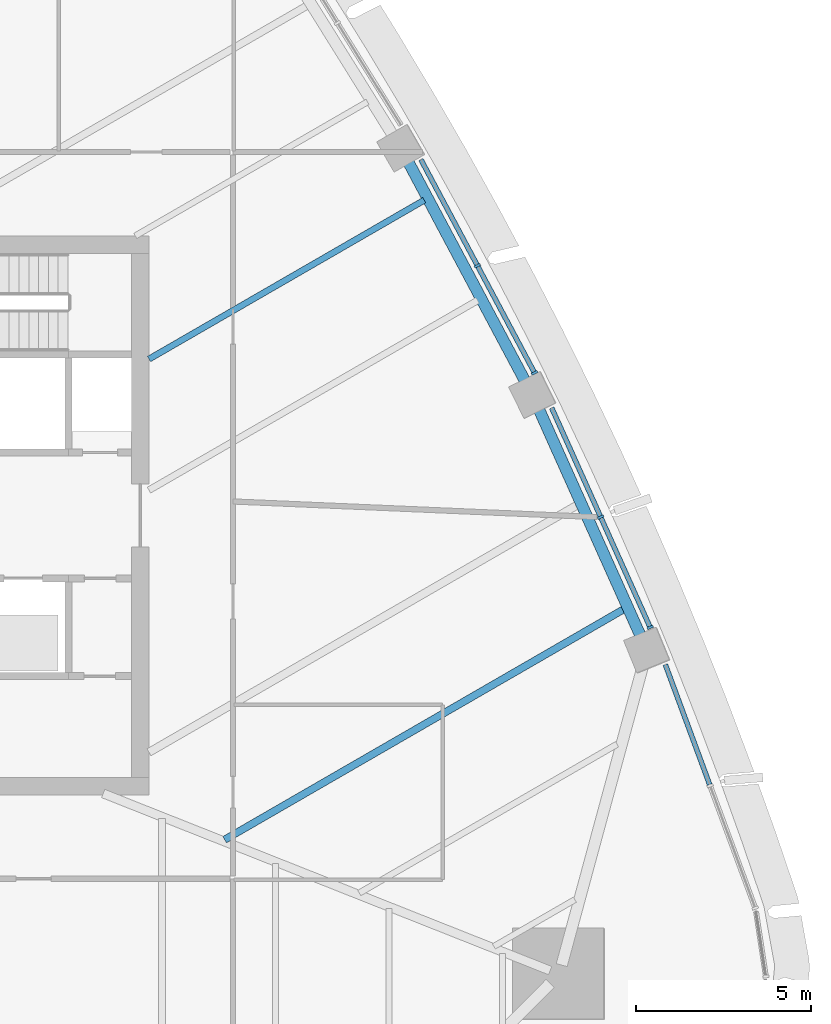
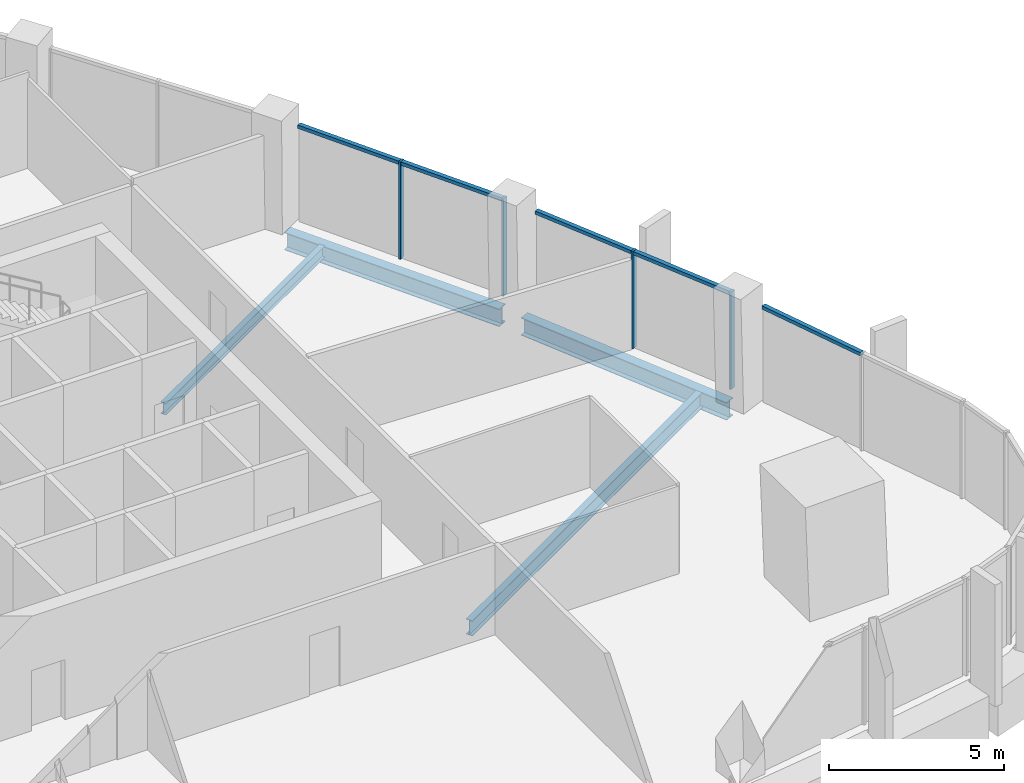
# One storey, part 5 of 19: 9 members, 4 beams, 3 elements without a shape of their own.
"""IFC4 building model written with IfcOpenShell, lengths in metres."""

import ifcopenshell
import ifcopenshell.guid

model = None  # the IFC model being written
_history = None  # IfcOwnerHistory: only IFC2X3 demands one
_inside = {}  # id of a spatial element -> (the spatial element, [elements in it])
_under = {}  # id of a project, library or spatial element -> (it, [spatial elements below it])
_declared = {}  # id of a project -> (the project, [libraries it declares])
_typed = {}  # id of a type object -> (the type object, [elements of that type])
_made_of = {}  # id of a material, layer set ... -> (it, [elements and type objects made of it])


def new_model(schema):
    """Start an empty IFC model of exactly this schema.

    Asked for "IFC4X3", IfcOpenShell would pick the latest addendum, in which some entities
    have other attributes; the version numbers below select the first issue.
    IFC2X3 requires an IfcOwnerHistory on every rooted entity: one is made here for all.
    """
    global model, _history
    if schema == "IFC4X3":
        model = ifcopenshell.file(schema_version=(4, 3, 0, 0))
    else:
        model = ifcopenshell.file(schema=schema)
    _inside.clear()
    _under.clear()
    _declared.clear()
    _typed.clear()
    _made_of.clear()
    _history = None
    if model.schema == "IFC2X3":
        org = make("IfcOrganization", Name="unknown")
        user = make(
            "IfcPersonAndOrganization",
            ThePerson=make("IfcPerson", FamilyName="unknown"),
            TheOrganization=org,
        )
        app = make(
            "IfcApplication",
            ApplicationDeveloper=org,
            Version="unknown",
            ApplicationFullName="unknown",
            ApplicationIdentifier="unknown",
        )
        _history = make(
            "IfcOwnerHistory",
            OwningUser=user,
            OwningApplication=app,
            ChangeAction="ADDED",
            CreationDate=0,
        )
    return model


def make(cls, **values):
    """One entity of the class cls with the attributes given. An attribute that is None is left unset."""
    return model.create_entity(
        cls, **{name: value for name, value in values.items() if value is not None}
    )


def rooted(cls, **values):
    """An entity with a GlobalId (a new one), such as an element, a storey or a relation."""
    return make(cls, GlobalId=ifcopenshell.guid.new(), OwnerHistory=_history, **values)


def si_unit(unit_type, name, prefix=None):
    """IfcSIUnit, for example si_unit("LENGTHUNIT", "METRE", prefix="MILLI")."""
    return make("IfcSIUnit", UnitType=unit_type, Prefix=prefix, Name=name)


def assignment(units):
    """IfcUnitAssignment: the units of a project."""
    return None if units is None else make("IfcUnitAssignment", Units=units)


def point(xyz):
    """IfcCartesianPoint."""
    return None if xyz is None else make("IfcCartesianPoint", Coordinates=xyz)


def direction(xyz):
    """IfcDirection."""
    return None if xyz is None else make("IfcDirection", DirectionRatios=xyz)


def frame(location, z_axis=None, x_axis=None):
    """IfcAxis2Placement3D, a coordinate frame: its origin and axes. An axis left out is left unset."""
    return make(
        "IfcAxis2Placement3D",
        Location=point(location),
        Axis=direction(z_axis),
        RefDirection=direction(x_axis),
    )


def frame_2d(location, x_axis=None):
    """IfcAxis2Placement2D, a coordinate frame in the plane: its origin and x axis."""
    return make(
        "IfcAxis2Placement2D", Location=point(location), RefDirection=direction(x_axis)
    )


def origin():
    """The frame at (0, 0, 0) with its axes left unset."""
    return frame((0.0, 0.0, 0.0))


def origin_2d():
    """The frame at (0, 0) in the plane with its x axis left unset."""
    return frame_2d((0.0, 0.0))


def place(relative_to, where):
    """IfcLocalPlacement: puts the frame where relative to a parent placement (None: the world)."""
    return make(
        "IfcLocalPlacement", PlacementRelTo=relative_to, RelativePlacement=where
    )


def context(
    kind, dimensions, precision=None, world=None, true_north=None, identifier=None
):
    """IfcGeometricRepresentationContext, for example the 3D "Model" context."""
    return make(
        "IfcGeometricRepresentationContext",
        ContextIdentifier=identifier,
        ContextType=kind,
        CoordinateSpaceDimension=dimensions,
        Precision=precision,
        WorldCoordinateSystem=world,
        TrueNorth=true_north,
    )


def subcontext(parent, identifier, kind, view, scale=None):
    """IfcGeometricRepresentationSubContext, for example "Body" below "Model"."""
    return make(
        "IfcGeometricRepresentationSubContext",
        ContextIdentifier=identifier,
        ContextType=kind,
        ParentContext=parent,
        TargetScale=scale,
        TargetView=view,
    )


def project(units=None, contexts=None):
    """IfcProject with its units and contexts."""
    return rooted(
        "IfcProject",
        Name="project",
        RepresentationContexts=contexts,
        UnitsInContext=assignment(units),
    )


def spatial(cls, under=None, at=None, **own):
    """A site, building, storey or space (cls), placed at a placement, below another one or the project."""
    s = rooted(cls, ObjectPlacement=at, **own)
    if under is not None:
        _under.setdefault(under.id(), (under, []))[1].append(s)
    return s


def profile(cls, at=None, kind="AREA", **sizes):
    """A parametric profile (cls). Its sizes go by their IFC names, for example OverallWidth=200.0."""
    return make(cls, ProfileType=kind, Position=at, **sizes)


def rectangle(**sizes):
    """IfcRectangleProfileDef."""
    return profile("IfcRectangleProfileDef", **sizes)


def i_section(**sizes):
    """IfcIShapeProfileDef."""
    return profile("IfcIShapeProfileDef", **sizes)


def extrude(swept, where, along, depth):
    """IfcExtrudedAreaSolid: the profile swept, set in the frame where, extruded along a direction by depth."""
    return make(
        "IfcExtrudedAreaSolid",
        SweptArea=swept,
        Position=where,
        ExtrudedDirection=direction(along),
        Depth=depth,
    )


def shape(context_of_items, identifier, shape_type, items):
    """IfcShapeRepresentation: the items that make up one representation, for example the "Body"."""
    return make(
        "IfcShapeRepresentation",
        ContextOfItems=context_of_items,
        RepresentationIdentifier=identifier,
        RepresentationType=shape_type,
        Items=items,
    )


def material(Name=None, Category=None):
    """IfcMaterial."""
    return make("IfcMaterial", Name=Name, Category=Category)


def layer(
    of_material, thickness, ventilated=None, Name=None, Category=None, Priority=None
):
    """IfcMaterialLayer: one layer of a wall or slab, of a material (None: an air gap)."""
    return make(
        "IfcMaterialLayer",
        Material=of_material,
        LayerThickness=thickness,
        IsVentilated=ventilated,
        Name=Name,
        Category=Category,
        Priority=Priority,
    )


def layer_set(layers, Name=None):
    """IfcMaterialLayerSet."""
    return make("IfcMaterialLayerSet", MaterialLayers=layers, LayerSetName=Name)


def material_profile(
    of_material, cross_section, Name=None, Category=None, Priority=None
):
    """IfcMaterialProfile: a cross section and its material."""
    return make(
        "IfcMaterialProfile",
        Name=Name,
        Material=of_material,
        Profile=cross_section,
        Priority=Priority,
        Category=Category,
    )


def profile_set(profiles, Name=None, composite=None):
    """IfcMaterialProfileSet."""
    return make(
        "IfcMaterialProfileSet",
        Name=Name,
        MaterialProfiles=profiles,
        CompositeProfile=composite,
    )


def made_of(thing, what):
    """Note that an element or type object is made of a material, layer set ...; save() writes the relation."""
    if what is not None:
        _made_of.setdefault(what.id(), (what, []))[1].append(thing)
    return thing


def type_object(cls, material=None, **own):
    """A type object (cls), such as IfcWallType, which elements share."""
    return made_of(rooted(cls, **own), material)


def element(
    cls,
    number,
    at=None,
    inside=None,
    cuts=None,
    type_object=None,
    material=None,
    context=None,
    identifier="Body",
    shape_type=None,
    held_by="IfcProductDefinitionShape",
    body=None,
    shapes=None,
    **own,
):
    """One element of the class cls, such as IfcWall. Its Tag is "e" and its number.

    at: its placement. inside: the storey or other place that contains it. cuts: it is an
    opening in that element (IfcRelVoidsElement). A single representation is given by context,
    identifier, shape_type and body (its items); several are given by shapes. held_by: the class
    of the entity that holds the representations. save() writes the other relations.
    """
    e = rooted(cls, Tag="e%d" % number, ObjectPlacement=at, **own)
    if body is not None:
        shapes = [shape(context, identifier, shape_type, body)]
    if shapes is not None:
        e.Representation = make(held_by, Representations=shapes)
    if inside is not None:
        _inside.setdefault(inside.id(), (inside, []))[1].append(e)
    if cuts is not None:
        rooted(
            "IfcRelVoidsElement", RelatingBuildingElement=cuts, RelatedOpeningElement=e
        )
    if type_object is not None:
        _typed.setdefault(type_object.id(), (type_object, []))[1].append(e)
    return made_of(e, material)


def aggregate(whole, parts):
    """IfcRelAggregates: a whole, such as a stair, and the parts it consists of."""
    return rooted("IfcRelAggregates", RelatingObject=whole, RelatedObjects=parts)


def save(model, path):
    """Write the relations noted so far, then the file.

    IfcRelAggregates (storeys below a building ...), IfcRelContainedInSpatialStructure (elements
    in a storey), IfcRelDefinesByType, IfcRelAssociatesMaterial and IfcRelDeclares: one each for
    every whole, place, type object, material and project.
    """
    for whole, parts in _under.values():
        aggregate(whole, parts)
    for where, things in _inside.values():
        rooted(
            "IfcRelContainedInSpatialStructure",
            RelatedElements=things,
            RelatingStructure=where,
        )
    for kind, things in _typed.values():
        rooted("IfcRelDefinesByType", RelatedObjects=things, RelatingType=kind)
    for what, things in _made_of.values():
        rooted("IfcRelAssociatesMaterial", RelatedObjects=things, RelatingMaterial=what)
    for by, libraries in _declared.values():
        rooted("IfcRelDeclares", RelatingContext=by, RelatedDefinitions=libraries)
    model.write(path)


model = new_model("IFC4")

# Units and contexts
model_context = context("Model", 3, precision=1e-05, world=origin(), true_north=direction((0.0, 1.0)))
body_context = subcontext(model_context, "Body", "Model", "MODEL_VIEW")
ifc_project = project(units=[si_unit("LENGTHUNIT", "METRE"), si_unit("AREAUNIT", "SQUARE_METRE"), si_unit("VOLUMEUNIT", "CUBIC_METRE"), si_unit("PLANEANGLEUNIT", "RADIAN"), si_unit("MASSUNIT", "GRAM", prefix="KILO")], contexts=[model_context])

# Site, building, storey
site_placement = place(None, origin())
site = spatial("IfcSite", under=ifc_project, at=site_placement, CompositionType="ELEMENT")
building_placement = place(site_placement, origin())
building = spatial("IfcBuilding", under=site, at=building_placement, Name="Sierra Prisma Convention Tower", CompositionType="ELEMENT")
storey_placement = place(building_placement, frame((0.0, 0.0, 209.800048828125)))
storey = spatial("IfcBuildingStorey", under=building, at=storey_placement, Name="L47", CompositionType="ELEMENT", Elevation=209.800048828125)

# Curtain wall, members
ifc_material_1 = material(Name="Aluminium and glass curtain wall", Category="aluminium")
ifc_layer = layer(ifc_material_1, 0.179931640625)
ifc_layer_set = layer_set([ifc_layer], Name="CW-1 Plain shaft curtain wall")
curtain_wall_type = type_object("IfcCurtainWallType", Name="CW-1 Plain shaft curtain wall", PredefinedType="NOTDEFINED", material=ifc_layer_set)
curtain_wall_1_placement = place(storey_placement, origin())
curtain_wall_1 = element("IfcCurtainWall", 1, at=curtain_wall_1_placement, inside=storey, type_object=curtain_wall_type, Name="CW-1 NE2 L47", PredefinedType="NOTDEFINED")
ifc_material_2 = material(Name="Aluminium 6063-T6 bronze anodised", Category="aluminium")
ifc_material_profile_1 = material_profile(ifc_material_2, rectangle(XDim=0.179931640625, YDim=0.070068359375, at=origin_2d()), Name="ALU MULLION 70x180")
ifc_profile_set_1 = profile_set([ifc_material_profile_1], Name="Aluminium 6063-T6 bronze anodised")
member_type_1 = type_object("IfcMemberType", Name="CW mullion bronze", PredefinedType="MULLION", material=ifc_profile_set_1)
member_1_placement = place(storey_placement, frame((25.3408203125, -3.202880859375, 0.0), z_axis=(0.0, 0.0, 1.0), x_axis=(-0.91240422521, -0.409290275745, 0.0)))
member_1 = element("IfcMember", 2, at=member_1_placement, type_object=member_type_1, Name="CW-1 mullion NE2.1", PredefinedType="MULLION", context=body_context, shape_type="SweptSolid", body=[
    extrude(rectangle(XDim=0.179931640625, YDim=0.070068359375, at=origin_2d()), origin(), (0.0, 0.0, 1.0), 3.39990234375),
])
member_2_placement = place(storey_placement, frame((23.9248046875, -0.04638671875, 0.0), z_axis=(0.0, 0.0, 1.0), x_axis=(-0.91240422521, -0.409290275745, 0.0)))
member_2 = element("IfcMember", 3, at=member_2_placement, type_object=member_type_1, Name="CW-1 mullion NE2.2", PredefinedType="MULLION", context=body_context, shape_type="SweptSolid", body=[
    extrude(rectangle(XDim=0.179931640625, YDim=0.070068359375, at=origin_2d()), origin(), (0.0, 0.0, 1.0), 3.39990234375),
])

curtain_wall_2_placement = place(storey_placement, origin())
curtain_wall_2 = element("IfcCurtainWall", 4, at=curtain_wall_2_placement, inside=storey, type_object=curtain_wall_type, Name="CW-1 NE3 L47", PredefinedType="NOTDEFINED")
member_3_placement = place(storey_placement, frame((22.032470703125, 4.081298828125, 0.0), z_axis=(0.0, 0.0, 1.0), x_axis=(-0.882509498251, -0.47029457311, 0.0)))
member_3 = element("IfcMember", 5, at=member_3_placement, type_object=member_type_1, Name="CW-1 mullion NE3.1", PredefinedType="MULLION", context=body_context, shape_type="SweptSolid", body=[
    extrude(rectangle(XDim=0.179931640625, YDim=0.070068359375, at=origin_2d()), origin(), (0.0, 0.0, 1.0), 3.39990234375),
])
member_4_placement = place(storey_placement, frame((20.39794921875, 7.1484375, 0.0), z_axis=(0.0, 0.0, 1.0), x_axis=(-0.882509498251, -0.47029457311, 0.0)))
member_4 = element("IfcMember", 6, at=member_4_placement, type_object=member_type_1, Name="CW-1 mullion NE3.2", PredefinedType="MULLION", context=body_context, shape_type="SweptSolid", body=[
    extrude(rectangle(XDim=0.179931640625, YDim=0.070068359375, at=origin_2d()), origin(), (0.0, 0.0, 1.0), 3.39990234375),
])

# Curtain wall, member
curtain_wall_3_placement = place(storey_placement, origin())
curtain_wall_3 = element("IfcCurtainWall", 7, at=curtain_wall_3_placement, inside=storey, type_object=curtain_wall_type, Name="CW-1 NE1 L47", PredefinedType="NOTDEFINED")
ifc_material_3 = material(Name="Aluminium 6063-T6 bronze anodised", Category="aluminium")
ifc_material_profile_2 = material_profile(ifc_material_3, rectangle(XDim=0.139892578125, YDim=0.1201171875, at=origin_2d()), Name="ALU TRANSOM 120x140")
ifc_profile_set_2 = profile_set([ifc_material_profile_2], Name="Aluminium 6063-T6 bronze anodised")
member_type_2 = type_object("IfcMemberType", Name="CW transom bronze", PredefinedType="USERDEFINED", material=ifc_profile_set_2)
member_5_placement = place(storey_placement, frame((27.043701171875, -7.700927734375, 3.33984375), z_axis=(-0.346391234773, 0.93809014091, 0.0), x_axis=(-0.93809014091, -0.346391234773, 0.0)))
member_5 = element("IfcMember", 8, at=member_5_placement, type_object=member_type_2, Name="CW-1 transom NE1.2", ObjectType="TRANSOM", PredefinedType="USERDEFINED", context=body_context, shape_type="SweptSolid", body=[
    extrude(rectangle(XDim=0.139892578125, YDim=0.1201171875, at=origin_2d()), origin(), (0.0, 0.0, 1.0), 3.661376953125),
])
aggregate(curtain_wall_3, [member_5])

# Member
member_6_placement = place(storey_placement, frame((25.32666015625, -3.1708984375, 3.33984375), z_axis=(-0.409337151829, 0.912383195885, 0.0), x_axis=(-0.912383195885, -0.409337151829, 0.0)))
member_6 = element("IfcMember", 9, at=member_6_placement, type_object=member_type_2, Name="CW-1 transom NE2.1", ObjectType="TRANSOM", PredefinedType="USERDEFINED", context=body_context, shape_type="SweptSolid", body=[
    extrude(rectangle(XDim=0.139892578125, YDim=0.1201171875, at=origin_2d()), origin(), (0.0, 0.0, 1.0), 3.389404296875),
])

member_7_placement = place(storey_placement, frame((23.91064453125, -0.014404296875, 3.33984375), z_axis=(-0.40931025282, 0.912395263544, 0.0), x_axis=(-0.912395263544, -0.40931025282, 0.0)))
member_7 = element("IfcMember", 10, at=member_7_placement, type_object=member_type_2, Name="CW-1 transom NE2.2", ObjectType="TRANSOM", PredefinedType="USERDEFINED", context=body_context, shape_type="SweptSolid", body=[
    extrude(rectangle(XDim=0.139892578125, YDim=0.1201171875, at=origin_2d()), origin(), (0.0, 0.0, 1.0), 3.3896484375),
])

aggregate(curtain_wall_1, [member_1, member_2, member_6, member_7])

member_8_placement = place(storey_placement, frame((22.01611328125, 4.1123046875, 3.33984375), z_axis=(-0.470290531158, 0.882511652219, 0.0), x_axis=(-0.882511652219, -0.470290531158, 0.0)))
member_8 = element("IfcMember", 11, at=member_8_placement, type_object=member_type_2, Name="CW-1 transom NE3.1", ObjectType="TRANSOM", PredefinedType="USERDEFINED", context=body_context, shape_type="SweptSolid", body=[
    extrude(rectangle(XDim=0.139892578125, YDim=0.1201171875, at=origin_2d()), origin(), (0.0, 0.0, 1.0), 3.405517578125),
])

member_9_placement = place(storey_placement, frame((20.381591796875, 7.179443359375, 3.33984375), z_axis=(-0.470290531158, 0.882511652219, 0.0), x_axis=(-0.882511652219, -0.470290531158, 0.0)))
member_9 = element("IfcMember", 12, at=member_9_placement, type_object=member_type_2, Name="CW-1 transom NE3.2", ObjectType="TRANSOM", PredefinedType="USERDEFINED", context=body_context, shape_type="SweptSolid", body=[
    extrude(rectangle(XDim=0.139892578125, YDim=0.1201171875, at=origin_2d()), origin(), (0.0, 0.0, 1.0), 3.405517578125),
])

aggregate(curtain_wall_2, [member_3, member_4, member_8, member_9])

# Beams
ifc_material_4 = material(Name="Steel ASTM A992 Gr 50", Category="steel")
ifc_material_profile_3 = material_profile(ifc_material_4, i_section(OverallWidth=0.177978515625, OverallDepth=0.406982421875, WebThickness=0.0078125, FlangeThickness=0.0126953125, at=origin_2d()), Name="W410x60")
ifc_profile_set_3 = profile_set([ifc_material_profile_3], Name="Steel ASTM A992 Gr 50")
beam_type_1 = type_object("IfcBeamType", Name="Floor joist W410x60", PredefinedType="JOIST", material=ifc_profile_set_3)
beam_1_placement = place(storey_placement, frame((18.875732421875, 9.022216796875, -0.353515625), z_axis=(-0.866034033121, -0.499985053252, 0.0), x_axis=(0.499985053252, -0.866034033121, 0.0)))
element("IfcBeam", 13, at=beam_1_placement, inside=storey, type_object=beam_type_1, Name="Floor joist L47 NE07", PredefinedType="JOIST", context=body_context, shape_type="SweptSolid", body=[
    extrude(i_section(OverallWidth=0.177978515625, OverallDepth=0.406982421875, WebThickness=0.0078125, FlangeThickness=0.0126953125, at=origin_2d()), origin(), (0.0, 0.0, 1.0), 9.093994140625),
])
ifc_material_5 = material(Name="Steel ASTM A992 Gr 50", Category="steel")
ifc_material_profile_4 = material_profile(ifc_material_5, i_section(OverallWidth=0.208984375, OverallDepth=0.532958984375, WebThickness=0.01025390625, FlangeThickness=0.015625, at=origin_2d()), Name="W530x92")
ifc_profile_set_4 = profile_set([ifc_material_profile_4], Name="Steel ASTM A992 Gr 50")
beam_type_2 = type_object("IfcBeamType", Name="Floor joist W530x92", PredefinedType="JOIST", material=ifc_profile_set_4)
beam_2_placement = place(storey_placement, frame((24.598388671875, -2.677734375, -0.41650390625), z_axis=(-0.866021142318, -0.500007381003, 0.0), x_axis=(0.500007381003, -0.866021142318, 0.0)))
element("IfcBeam", 14, at=beam_2_placement, inside=storey, type_object=beam_type_2, Name="Floor joist L47 NE03", PredefinedType="JOIST", context=body_context, shape_type="SweptSolid", body=[
    extrude(i_section(OverallWidth=0.208984375, OverallDepth=0.532958984375, WebThickness=0.01025390625, FlangeThickness=0.015625, at=origin_2d()), origin(), (0.0, 0.0, 1.0), 13.202392578125),
])
ifc_material_6 = material(Name="Steel ASTM A992 Gr 50", Category="steel")
ifc_material_profile_5 = material_profile(ifc_material_6, i_section(OverallWidth=0.324951171875, OverallDepth=0.615966796875, WebThickness=0.013916015625, FlangeThickness=0.021484375, at=origin_2d()), Name="W610x174")
ifc_profile_set_5 = profile_set([ifc_material_profile_5], Name="Steel ASTM A992 Gr 50")
beam_type_3 = type_object("IfcBeamType", Name="Spandrel beam W610x174", PredefinedType="BEAM", material=ifc_profile_set_5)
for number, where, z_axis, x_axis, name in (
    (15, (25.09814453125, -3.5166015625, -0.4580078125), (-0.409273475475, 0.912411761363, 0.0), (-0.912411761363, -0.409273475475, 0.0), "Spandrel L47-08"),
    (16, (21.796875, 3.780029296875, -0.4580078125), (-0.47030152622, 0.882505792862, 0.0), (-0.882505792862, -0.47030152622, 0.0), "Spandrel L47-09"),
):
    element("IfcBeam", number, at=place(storey_placement, frame(where, z_axis=z_axis, x_axis=x_axis)), inside=storey, type_object=beam_type_3, Name=name, PredefinedType="BEAM", context=body_context, shape_type="SweptSolid", body=[
        extrude(i_section(OverallWidth=0.324951171875, OverallDepth=0.615966796875, WebThickness=0.013916015625, FlangeThickness=0.021484375, at=origin_2d()), origin(), (0.0, 0.0, 1.0), 7.2490234375),
    ])

save(model, "model.ifc")
